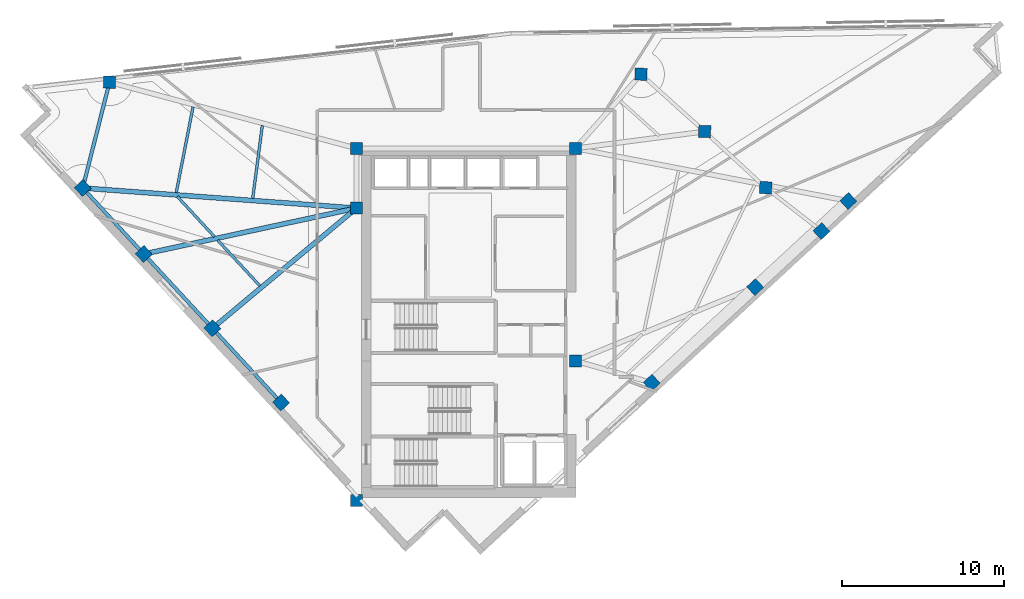
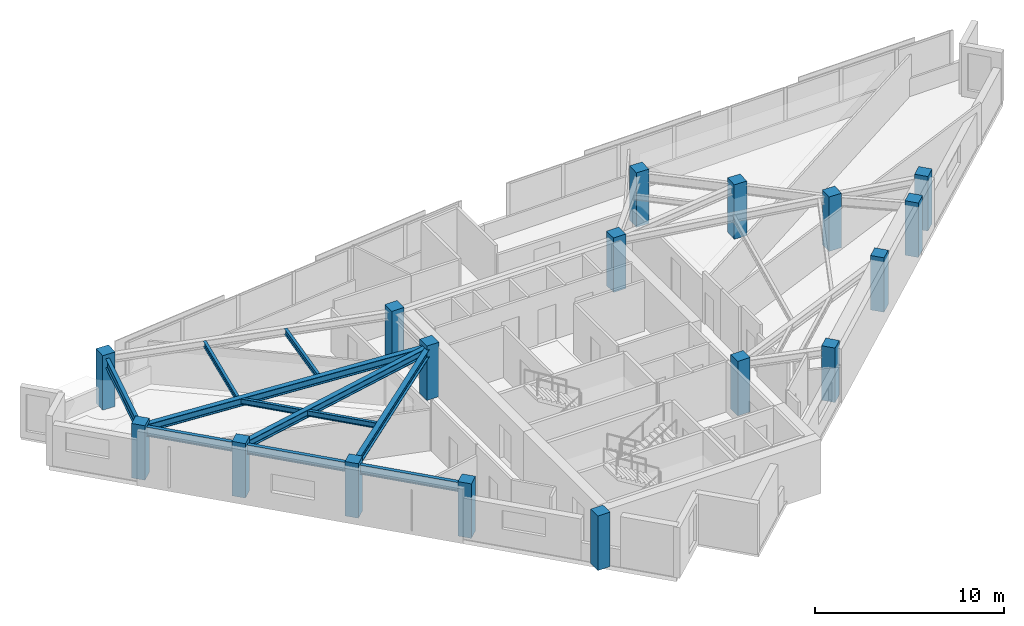
# One storey, part 1 of 13: 17 columns, 11 beams.
"""IFC4 building model written with IfcOpenShell, lengths in metres."""

from ifc_helpers import new_model, si_unit, direction, frame, origin, origin_2d, place, context, subcontext, project, spatial, rectangle, i_section, extrude, material, material_profile, profile_set, type_object, element, save


model = new_model("IFC4")

# Units and contexts
model_context = context("Model", 3, precision=1e-05, world=origin(), true_north=direction((0.0, 1.0)))
body_context = subcontext(model_context, "Body", "Model", "MODEL_VIEW")
ifc_project = project(units=[si_unit("LENGTHUNIT", "METRE"), si_unit("AREAUNIT", "SQUARE_METRE"), si_unit("VOLUMEUNIT", "CUBIC_METRE"), si_unit("PLANEANGLEUNIT", "RADIAN"), si_unit("MASSUNIT", "GRAM", prefix="KILO")], contexts=[model_context])

# Site, building, storey
site_placement = place(None, origin())
site = spatial("IfcSite", under=ifc_project, at=site_placement, CompositionType="ELEMENT")
building_placement = place(site_placement, origin())
building = spatial("IfcBuilding", under=site, at=building_placement, Name="Narakoshi Arena Tower", CompositionType="ELEMENT")
storey_placement = place(building_placement, frame((0.0, 0.0, 281.860107421875)))
storey = spatial("IfcBuildingStorey", under=building, at=storey_placement, Name="L77", CompositionType="ELEMENT", Elevation=281.860107421875)

# Columns
ifc_material_1 = material(Name="Concrete C50/60", Category="concrete")
ifc_material_profile_1 = material_profile(ifc_material_1, rectangle(XDim=0.75, YDim=0.75, at=origin_2d()), Name="RC750x750")
ifc_profile_set_1 = profile_set([ifc_material_profile_1], Name="Concrete C50/60")
column_type = type_object("IfcColumnType", Name="COL-RC750", PredefinedType="COLUMN", material=ifc_profile_set_1)
for number, where, z_axis, x_axis, name in (
    (1, (72.0, 34.699951171875, 0.0), (0.0, 0.0, 1.0), (1.0, 0.0, 0.0), "L77 Core Structural Column CC1"),
    (2, (85.550048828125, 43.35009765625, 0.0), (0.0, 0.0, 1.0), (1.0, 0.0, 0.0), "L77 Core Structural Column CC3"),
    (3, (72.0, 52.800048828125, 0.0), (0.0, 0.0, 1.0), (1.0, 0.0, 0.0), "L77 Core Structural Column CC4"),
    (4, (72.0, 56.5, 0.0), (0.0, 0.0, 1.0), (1.0, 0.0, 0.0), "L77 Core Structural Column CC5"),
    (5, (85.550048828125, 56.5, 0.0), (0.0, 0.0, 1.0), (1.0, 0.0, 0.0), "L77 Core Structural Column CC6"),
    (6, (90.2734375, 41.992919921875, 0.0), (0.0, 0.0, 1.0), (0.734322509436, 0.678800745533, 0.0), "L77 Tower Perimeter Column TC01"),
    (7, (96.6787109375, 47.913818359375, 0.0), (0.0, 0.0, 1.0), (0.734322509436, 0.678800745533, 0.0), "L77 Tower Perimeter Column TC02"),
    (8, (102.443359375, 53.242431640625, 0.0), (0.0, 0.0, 1.0), (0.734322509436, 0.678800745533, 0.0), "L77 Tower Perimeter Column TC03"),
    (9, (100.78173828125, 51.379638671875, 0.0), (0.0, 0.0, 1.0), (0.734322509436, 0.678800745533, 0.0), "L77 Tower Perimeter Column TC04"),
    (10, (97.3291015625, 54.0654296875, 0.0), (0.0, 0.0, 1.0), (0.039259815759, 0.999229036241, 0.0), "L77 Tower Perimeter Column TC05"),
    (11, (93.55029296875, 57.543701171875, 0.0), (0.0, 0.0, 1.0), (0.039259815759, 0.999229036241, 0.0), "L77 Tower Perimeter Column TC06"),
    (12, (89.611328125, 61.09033203125, 0.0), (0.0, 0.0, 1.0), (0.039259815759, 0.999229036241, 0.0), "L77 Tower Perimeter Column TC07"),
    (13, (56.717041015625, 60.59814453125, 0.0), (0.0, 0.0, 1.0), (0.039259815759, 0.999229036241, 0.0), "L77 Tower Perimeter Column TC10"),
    (14, (55.05810546875, 54.04638671875, 0.0), (0.0, 0.0, 1.0), (-0.678800745533, 0.734322509436, 0.0), "L77 Tower Perimeter Column TC13"),
    (15, (58.8349609375, 49.960693359375, 0.0), (0.0, 0.0, 1.0), (-0.678800745533, 0.734322509436, 0.0), "L77 Tower Perimeter Column TC14"),
    (16, (63.083984375, 45.3642578125, 0.0), (0.0, 0.0, 1.0), (-0.678800745533, 0.734322509436, 0.0), "L77 Tower Perimeter Column TC15"),
    (17, (67.332763671875, 40.767578125, 0.0), (0.0, 0.0, 1.0), (-0.678800745533, 0.734322509436, 0.0), "L77 Tower Perimeter Column TC16"),
):
    element("IfcColumn", number, at=place(storey_placement, frame(where, z_axis=z_axis, x_axis=x_axis)), inside=storey, type_object=column_type, Name=name, PredefinedType="COLUMN", context=body_context, shape_type="SweptSolid", body=[
        extrude(rectangle(XDim=0.75, YDim=0.75, at=origin_2d()), origin(), (0.0, 0.0, 1.0), 3.519775390625),
    ])

# Beams
ifc_material_2 = material(Name="Structural steel S355J2", Category="steel")
ifc_material_profile_2 = material_profile(ifc_material_2, i_section(OverallWidth=0.219970703125, OverallDepth=0.60009765625, WebThickness=0.011962890625, FlangeThickness=0.01904296875, FilletRadius=0.02392578125, at=origin_2d()), Name="IPE600")
ifc_profile_set_2 = profile_set([ifc_material_profile_2], Name="Structural steel S355J2")
beam_type_1 = type_object("IfcBeamType", Name="BM-EDGE-600", PredefinedType="BEAM", material=ifc_profile_set_2)
beam_1_placement = place(storey_placement, frame((56.717041015625, 60.59814453125, 2.9599609375), z_axis=(-0.245458392699, -0.969407126781, 0.0), x_axis=(0.969407126781, -0.245458392699, 0.0)))
element("IfcBeam", 18, at=beam_1_placement, inside=storey, type_object=beam_type_1, Name="L77 Perimeter Edge Girder 08", PredefinedType="BEAM", context=body_context, shape_type="SweptSolid", body=[
    extrude(i_section(OverallWidth=0.219970703125, OverallDepth=0.60009765625, WebThickness=0.011962890625, FlangeThickness=0.01904296875, FilletRadius=0.02392578125, at=origin_2d()), origin(), (0.0, 0.0, 1.0), 6.758544921875),
])
beam_2_placement = place(storey_placement, frame((55.05810546875, 54.04638671875, 2.9599609375), z_axis=(0.678808438166, -0.734315398365, 0.0), x_axis=(0.734315398365, 0.678808438166, 0.0)))
element("IfcBeam", 19, at=beam_2_placement, inside=storey, type_object=beam_type_1, Name="L77 Perimeter Edge Girder 09", PredefinedType="BEAM", context=body_context, shape_type="SweptSolid", body=[
    extrude(i_section(OverallWidth=0.219970703125, OverallDepth=0.60009765625, WebThickness=0.011962890625, FlangeThickness=0.01904296875, FilletRadius=0.02392578125, at=origin_2d()), origin(), (0.0, 0.0, 1.0), 5.56396484375),
])
for number, where, z_axis, x_axis, name in (
    (20, (58.8349609375, 49.960693359375, 2.9599609375), (0.678811265787, -0.734312784473, 0.0), (0.734312784473, 0.678811265787, 0.0), "L77 Perimeter Edge Girder 10"),
    (21, (63.083984375, 45.3642578125, 2.9599609375), (0.678770792221, -0.734350196859, 0.0), (0.734350196859, 0.678770792221, 0.0), "L77 Perimeter Edge Girder 11"),
):
    element("IfcBeam", number, at=place(storey_placement, frame(where, z_axis=z_axis, x_axis=x_axis)), inside=storey, type_object=beam_type_1, Name=name, PredefinedType="BEAM", context=body_context, shape_type="SweptSolid", body=[
        extrude(i_section(OverallWidth=0.219970703125, OverallDepth=0.60009765625, WebThickness=0.011962890625, FlangeThickness=0.01904296875, FilletRadius=0.02392578125, at=origin_2d()), origin(), (0.0, 0.0, 1.0), 6.259521484375),
    ])
ifc_material_profile_3 = material_profile(ifc_material_2, i_section(OverallWidth=0.300048828125, OverallDepth=0.5, WebThickness=0.014404296875, FlangeThickness=0.028076171875, FilletRadius=0.027099609375, at=origin_2d()), Name="HE500B")
ifc_profile_set_3 = profile_set([ifc_material_profile_3], Name="Structural steel S355J2")
beam_type_2 = type_object("IfcBeamType", Name="BM-PRI-500", PredefinedType="BEAM", material=ifc_profile_set_3)
beam_3_placement = place(storey_placement, frame((72.0, 52.800048828125, 3.010009765625), z_axis=(-0.997304997013, 0.073367178859, 0.0), x_axis=(-0.073367178859, -0.997304997013, 0.0)))
element("IfcBeam", 22, at=beam_3_placement, inside=storey, type_object=beam_type_2, Name="L77 Radial Primary Floor Girder 09", PredefinedType="BEAM", context=body_context, shape_type="SweptSolid", body=[
    extrude(i_section(OverallWidth=0.300048828125, OverallDepth=0.5, WebThickness=0.014404296875, FlangeThickness=0.028076171875, FilletRadius=0.027099609375, at=origin_2d()), origin(), (0.0, 0.0, 1.0), 16.98779296875),
])
beam_4_placement = place(storey_placement, frame((72.0, 52.800048828125, 3.010009765625), z_axis=(-0.977523534755, -0.210826324256, 0.0), x_axis=(0.210826324256, -0.977523534755, 0.0)))
element("IfcBeam", 23, at=beam_4_placement, inside=storey, type_object=beam_type_2, Name="L77 Radial Primary Floor Girder 10", PredefinedType="BEAM", context=body_context, shape_type="SweptSolid", body=[
    extrude(i_section(OverallWidth=0.300048828125, OverallDepth=0.5, WebThickness=0.014404296875, FlangeThickness=0.028076171875, FilletRadius=0.027099609375, at=origin_2d()), origin(), (0.0, 0.0, 1.0), 13.4677734375),
])
beam_5_placement = place(storey_placement, frame((72.0, 52.800048828125, 3.010009765625), z_axis=(-0.767976460513, -0.640478068397, 0.0), x_axis=(0.640478068397, -0.767976460513, 0.0)))
element("IfcBeam", 24, at=beam_5_placement, inside=storey, type_object=beam_type_2, Name="L77 Radial Primary Floor Girder 11", PredefinedType="BEAM", context=body_context, shape_type="SweptSolid", body=[
    extrude(i_section(OverallWidth=0.300048828125, OverallDepth=0.5, WebThickness=0.014404296875, FlangeThickness=0.028076171875, FilletRadius=0.027099609375, at=origin_2d()), origin(), (0.0, 0.0, 1.0), 11.60986328125),
])
ifc_material_profile_4 = material_profile(ifc_material_2, i_section(OverallWidth=0.169921875, OverallDepth=0.360107421875, WebThickness=0.008056640625, FlangeThickness=0.0126953125, FilletRadius=0.01806640625, at=origin_2d()), Name="IPE360")
ifc_profile_set_4 = profile_set([ifc_material_profile_4], Name="Structural steel S355J2")
beam_type_3 = type_object("IfcBeamType", Name="BM-SEC-360", PredefinedType="JOIST", material=ifc_profile_set_4)
beam_6_placement = place(storey_placement, frame((66.1748046875, 57.92333984375, 3.079833984375), z_axis=(-0.130622278615, -0.991432206623, 0.0), x_axis=(0.991432206623, -0.130622278615, 0.0)))
element("IfcBeam", 25, at=beam_6_placement, inside=storey, type_object=beam_type_3, Name="L77 Composite Secondary Floor Joist 06", PredefinedType="JOIST", context=body_context, shape_type="SweptSolid", body=[
    extrude(i_section(OverallWidth=0.169921875, OverallDepth=0.360107421875, WebThickness=0.008056640625, FlangeThickness=0.0126953125, FilletRadius=0.01806640625, at=origin_2d()), origin(), (0.0, 0.0, 1.0), 4.554931640625),
])
beam_7_placement = place(storey_placement, frame((61.88720703125, 59.072265625, 3.079833984375), z_axis=(-0.192432326114, -0.98131024649, 0.0), x_axis=(0.98131024649, -0.192432326114, 0.0)))
element("IfcBeam", 26, at=beam_7_placement, inside=storey, type_object=beam_type_3, Name="L77 Composite Secondary Floor Joist 07", PredefinedType="JOIST", context=body_context, shape_type="SweptSolid", body=[
    extrude(i_section(OverallWidth=0.169921875, OverallDepth=0.360107421875, WebThickness=0.008056640625, FlangeThickness=0.0126953125, FilletRadius=0.01806640625, at=origin_2d()), origin(), (0.0, 0.0, 1.0), 5.418701171875),
])
beam_8_placement = place(storey_placement, frame((60.91015625, 53.5234375, 3.079833984375), z_axis=(0.678789604895, -0.734332807579, 0.0), x_axis=(0.734332807579, 0.678789604895, 0.0)))
element("IfcBeam", 27, at=beam_8_placement, inside=storey, type_object=beam_type_3, Name="L77 Composite Secondary Floor Joist 08", PredefinedType="JOIST", context=body_context, shape_type="SweptSolid", body=[
    extrude(i_section(OverallWidth=0.169921875, OverallDepth=0.360107421875, WebThickness=0.008056640625, FlangeThickness=0.0126953125, FilletRadius=0.01806640625, at=origin_2d()), origin(), (0.0, 0.0, 1.0), 3.402099609375),
])
beam_9_placement = place(storey_placement, frame((63.402587890625, 50.826904296875, 3.079833984375), z_axis=(0.67880513783, -0.734318449214, 0.0), x_axis=(0.734318449214, 0.67880513783, 0.0)))
element("IfcBeam", 28, at=beam_9_placement, inside=storey, type_object=beam_type_3, Name="L77 Composite Secondary Floor Joist 09", PredefinedType="JOIST", context=body_context, shape_type="SweptSolid", body=[
    extrude(i_section(OverallWidth=0.169921875, OverallDepth=0.360107421875, WebThickness=0.008056640625, FlangeThickness=0.0126953125, FilletRadius=0.01806640625, at=origin_2d()), origin(), (0.0, 0.0, 1.0), 3.861328125),
])

save(model, "model.ifc")
